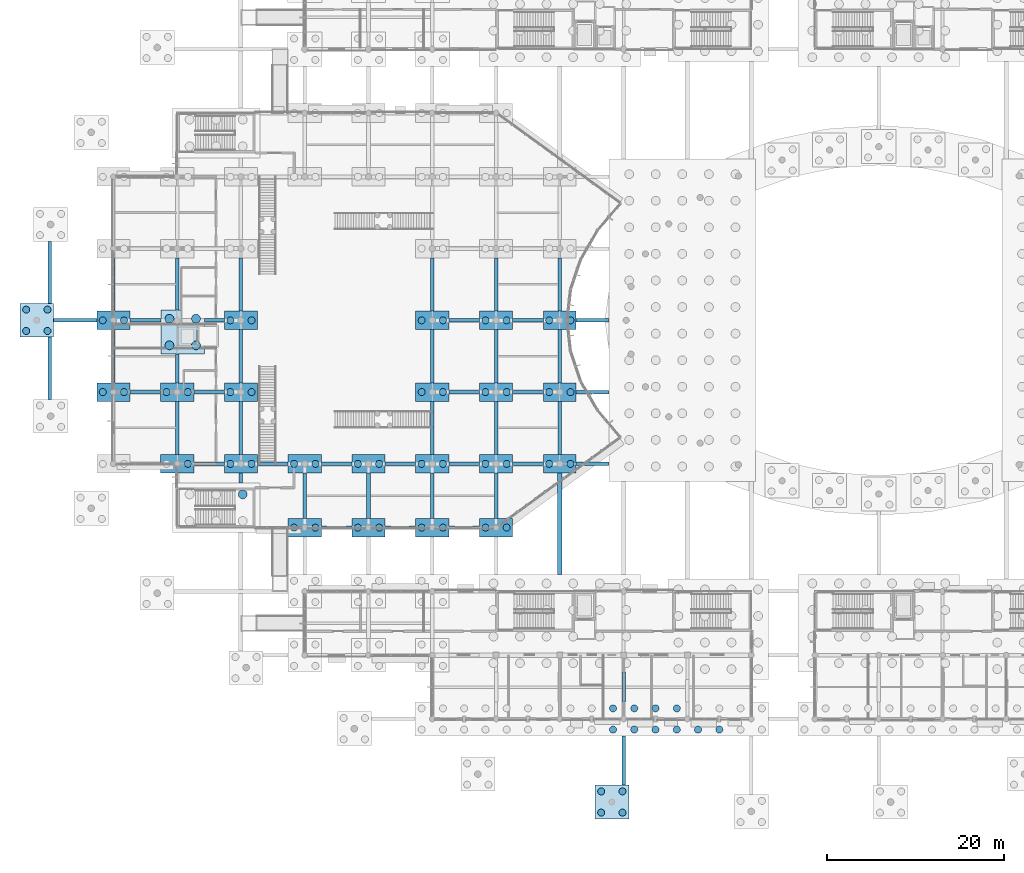
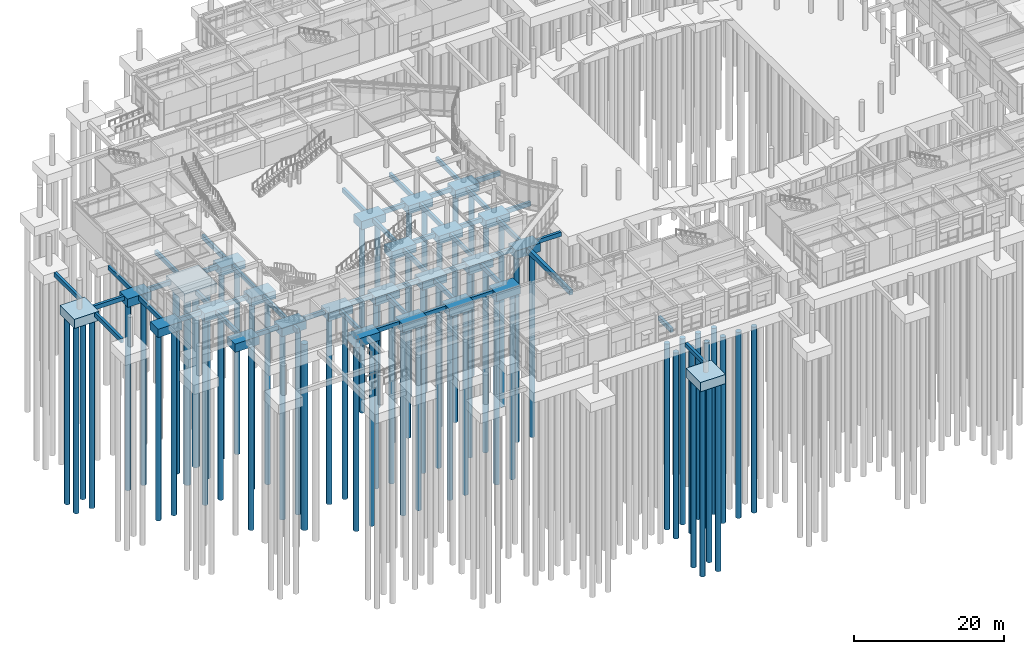
# One storey, part 2 of 103: 73 footings, 66 piles.
"""IFC4 building model written with IfcOpenShell, lengths in metres."""

from ifc_helpers import new_model, si_unit, direction, frame, origin, origin_2d, place, context, subcontext, project, spatial, rectangle, circle, extrude, material, layer, layer_set, material_profile, profile_set, type_object, element, save


model = new_model("IFC4")

# Units and contexts
model_context = context("Model", 3, precision=1e-05, world=origin(), true_north=direction((0.0, 1.0)))
body_context = subcontext(model_context, "Body", "Model", "MODEL_VIEW")
ifc_project = project(units=[si_unit("LENGTHUNIT", "METRE"), si_unit("AREAUNIT", "SQUARE_METRE"), si_unit("VOLUMEUNIT", "CUBIC_METRE"), si_unit("PLANEANGLEUNIT", "RADIAN"), si_unit("MASSUNIT", "GRAM", prefix="KILO")], contexts=[model_context])

# Site, building, storey
site_placement = place(None, origin())
site = spatial("IfcSite", under=ifc_project, at=site_placement, CompositionType="ELEMENT")
building_placement = place(site_placement, origin())
building = spatial("IfcBuilding", under=site, at=building_placement, Name="Namkhue Oval Health Centre", CompositionType="ELEMENT")
storey_placement = place(building_placement, origin())
storey = spatial("IfcBuildingStorey", under=building, at=storey_placement, Name="L00", CompositionType="ELEMENT", Elevation=0.0)

# Footings
ifc_material_1 = material(Name="Reinforced concrete C30/37 (TCVN B35)", Category="concrete")
ifc_layer_1 = layer(ifc_material_1, 1.35009765625)
ifc_layer_set_1 = layer_set([ifc_layer_1], Name="Reinforced concrete C30/37 (TCVN B35)")
footing_type_1 = type_object("IfcFootingType", Name="BORED PILE CAP 3700X2100X1350", PredefinedType="PILE_CAP", material=ifc_layer_set_1)
for number, where, z_axis, x_axis, name in (
    (1, (64.800048828125, 43.199951171875, -1.6201171875), (0.0, 0.0, 1.0), (1.0, 0.0, 0.0), "Reinforced Concrete Pile Cap 52"),
    (2, (14.39990234375, 51.300048828125, -1.6201171875), (0.0, 0.0, 1.0), (1.0, 0.0, 0.0), "Reinforced Concrete Pile Cap 57"),
    (3, (64.800048828125, 51.300048828125, -1.6201171875), (0.0, 0.0, 1.0), (1.0, 0.0, 0.0), "Reinforced Concrete Pile Cap 62"),
    (4, (14.39990234375, 59.39990234375, -1.6201171875), (0.0, 0.0, 1.0), (1.0, 0.0, 0.0), "Reinforced Concrete Pile Cap 68"),
    (5, (64.800048828125, 59.39990234375, -1.6201171875), (0.0, 0.0, 1.0), (1.0, 0.0, 0.0), "Reinforced Concrete Pile Cap 72"),
):
    element("IfcFooting", number, at=place(storey_placement, frame(where, z_axis=z_axis, x_axis=x_axis)), inside=storey, type_object=footing_type_1, Name=name, PredefinedType="PILE_CAP", context=body_context, shape_type="SweptSolid", body=[
        extrude(rectangle(XDim=3.699951171875, YDim=2.10009765625, at=origin_2d()), origin(), (0.0, 0.0, 1.0), 1.35009765625),
    ])
ifc_layer_2 = layer(ifc_material_1, 1.35009765625)
ifc_layer_set_2 = layer_set([ifc_layer_2], Name="Reinforced concrete C30/37 (TCVN B35)")
footing_type_2 = type_object("IfcFootingType", Name="BORED PILE CAP 3750X2100X1350", PredefinedType="PILE_CAP", material=ifc_layer_set_2)
for number, where, z_axis, x_axis, name in (
    (6, (36.0, 36.0, -1.6201171875), (0.0, 0.0, 1.0), (1.0, 0.0, 0.0), "Reinforced Concrete Pile Cap 28"),
    (7, (43.199951171875, 36.0, -1.6201171875), (0.0, 0.0, 1.0), (1.0, 0.0, 0.0), "Reinforced Concrete Pile Cap 29"),
    (8, (50.39990234375, 36.0, -1.6201171875), (0.0, 0.0, 1.0), (1.0, 0.0, 0.0), "Reinforced Concrete Pile Cap 30"),
    (9, (57.60009765625, 36.0, -1.6201171875), (0.0, 0.0, 1.0), (1.0, 0.0, 0.0), "Reinforced Concrete Pile Cap 31"),
    (10, (21.60009765625, 43.199951171875, -1.6201171875), (0.0, 0.0, 1.0), (1.0, 0.0, 0.0), "Reinforced Concrete Pile Cap 46"),
    (11, (28.800048828125, 43.199951171875, -1.6201171875), (0.0, 0.0, 1.0), (1.0, 0.0, 0.0), "Reinforced Concrete Pile Cap 47"),
    (12, (36.0, 43.199951171875, -1.6201171875), (0.0, 0.0, 1.0), (1.0, 0.0, 0.0), "Reinforced Concrete Pile Cap 48"),
    (13, (43.199951171875, 43.199951171875, -1.6201171875), (0.0, 0.0, 1.0), (1.0, 0.0, 0.0), "Reinforced Concrete Pile Cap 49"),
    (14, (50.39990234375, 43.199951171875, -1.6201171875), (0.0, 0.0, 1.0), (1.0, 0.0, 0.0), "Reinforced Concrete Pile Cap 50"),
    (15, (57.60009765625, 43.199951171875, -1.6201171875), (0.0, 0.0, 1.0), (1.0, 0.0, 0.0), "Reinforced Concrete Pile Cap 51"),
    (16, (21.60009765625, 51.300048828125, -1.6201171875), (0.0, 0.0, 1.0), (1.0, 0.0, 0.0), "Reinforced Concrete Pile Cap 58"),
    (17, (28.800048828125, 51.300048828125, -1.6201171875), (0.0, 0.0, 1.0), (1.0, 0.0, 0.0), "Reinforced Concrete Pile Cap 59"),
    (18, (50.39990234375, 51.300048828125, -1.6201171875), (0.0, 0.0, 1.0), (1.0, 0.0, 0.0), "Reinforced Concrete Pile Cap 60"),
    (19, (57.60009765625, 51.300048828125, -1.6201171875), (0.0, 0.0, 1.0), (1.0, 0.0, 0.0), "Reinforced Concrete Pile Cap 61"),
    (20, (28.800048828125, 59.39990234375, -1.6201171875), (0.0, 0.0, 1.0), (1.0, 0.0, 0.0), "Reinforced Concrete Pile Cap 69"),
    (21, (50.39990234375, 59.39990234375, -1.6201171875), (0.0, 0.0, 1.0), (1.0, 0.0, 0.0), "Reinforced Concrete Pile Cap 70"),
    (22, (57.60009765625, 59.39990234375, -1.6201171875), (0.0, 0.0, 1.0), (1.0, 0.0, 0.0), "Reinforced Concrete Pile Cap 71"),
):
    element("IfcFooting", number, at=place(storey_placement, frame(where, z_axis=z_axis, x_axis=x_axis)), inside=storey, type_object=footing_type_2, Name=name, PredefinedType="PILE_CAP", context=body_context, shape_type="SweptSolid", body=[
        extrude(rectangle(XDim=3.75, YDim=2.10009765625, at=origin_2d()), origin(), (0.0, 0.0, 1.0), 1.35009765625),
    ])
ifc_layer_3 = layer(ifc_material_1, 1.5)
ifc_layer_set_3 = layer_set([ifc_layer_3], Name="Reinforced concrete C30/37 (TCVN B35)")
footing_type_3 = type_object("IfcFootingType", Name="BORED PILE CAP 3800X3800X1500", PredefinedType="PILE_CAP", material=ifc_layer_set_3)
footing_1_placement = place(storey_placement, frame((5.760009765625, 59.39990234375, -1.5), z_axis=(0.0, 0.0, 1.0), x_axis=(1.0, 0.0, 0.0)))
element("IfcFooting", 23, at=footing_1_placement, inside=storey, type_object=footing_type_3, Name="Reinforced Concrete Pile Cap 65", PredefinedType="PILE_CAP", context=body_context, shape_type="SweptSolid", body=[
    extrude(rectangle(XDim=3.800048828125, YDim=3.800048828125, at=origin_2d()), origin(), (0.0, 0.0, 1.0), 1.5),
])
ifc_layer_4 = layer(ifc_material_1, 1.5)
ifc_layer_set_4 = layer_set([ifc_layer_4], Name="Reinforced concrete C30/37 (TCVN B35)")
footing_type_4 = type_object("IfcFootingType", Name="BORED PILE CAP 3850X3850X1500", PredefinedType="PILE_CAP", material=ifc_layer_set_4)
footing_2_placement = place(storey_placement, frame((70.66796875, 5.025390625, -1.5), z_axis=(0.0, 0.0, 1.0), x_axis=(1.0, 0.0, 0.0)))
element("IfcFooting", 24, at=footing_2_placement, inside=storey, type_object=footing_type_4, Name="Reinforced Concrete Pile Cap 2", PredefinedType="PILE_CAP", context=body_context, shape_type="SweptSolid", body=[
    extrude(rectangle(XDim=3.85009765625, YDim=3.85009765625, at=origin_2d()), origin(), (0.0, 0.0, 1.0), 1.5),
])
ifc_layer_5 = layer(ifc_material_1, 1.5)
ifc_layer_set_5 = layer_set([ifc_layer_5], Name="Reinforced concrete C30/37 (TCVN B35)")
footing_type_5 = type_object("IfcFootingType", Name="BORED PILE CAP 4950X4950X1500", PredefinedType="PILE_CAP", material=ifc_layer_set_5)
footing_3_placement = place(storey_placement, frame((22.22509765625, 58.074951171875, -1.77001953125), z_axis=(0.0, 0.0, 1.0), x_axis=(1.0, 0.0, 0.0)))
element("IfcFooting", 25, at=footing_3_placement, inside=storey, type_object=footing_type_5, Name="Reinforced Concrete Pile Cap 64", PredefinedType="PILE_CAP", context=body_context, shape_type="SweptSolid", body=[
    extrude(rectangle(XDim=4.949951171875, YDim=4.949951171875, at=origin_2d()), origin(), (0.0, 0.0, 1.0), 1.5),
])
footing_type_6 = type_object("IfcFootingType", Name="FOUNDATION GROUND BEAM 400X700", PredefinedType="FOOTING_BEAM", material=ifc_material_1)
for number, where, z_axis, x_axis, name in (
    (26, (39.60009765625, 36.0, -0.97021484375), (0.0, 0.0, 1.0), (1.0, 0.0, 0.0), "Foundation Ground Tie Beam X-25"),
    (27, (46.800048828125, 36.0, -0.97021484375), (0.0, 0.0, 1.0), (1.0, 0.0, 0.0), "Foundation Ground Tie Beam X-26"),
    (28, (54.0, 36.0, -0.97021484375), (0.0, 0.0, 1.0), (1.0, 0.0, 0.0), "Foundation Ground Tie Beam X-27"),
    (29, (25.199951171875, 43.199951171875, -0.97021484375), (0.0, 0.0, 1.0), (1.0, 0.0, 0.0), "Foundation Ground Tie Beam X-31"),
    (30, (32.39990234375, 43.199951171875, -0.97021484375), (0.0, 0.0, 1.0), (1.0, 0.0, 0.0), "Foundation Ground Tie Beam X-32"),
    (31, (39.60009765625, 43.199951171875, -0.97021484375), (0.0, 0.0, 1.0), (1.0, 0.0, 0.0), "Foundation Ground Tie Beam X-33"),
    (32, (46.800048828125, 43.199951171875, -0.97021484375), (0.0, 0.0, 1.0), (1.0, 0.0, 0.0), "Foundation Ground Tie Beam X-34"),
    (33, (54.0, 43.199951171875, -0.97021484375), (0.0, 0.0, 1.0), (1.0, 0.0, 0.0), "Foundation Ground Tie Beam X-35"),
):
    element("IfcFooting", number, at=place(storey_placement, frame(where, z_axis=z_axis, x_axis=x_axis)), inside=storey, type_object=footing_type_6, Name=name, PredefinedType="FOOTING_BEAM", context=body_context, shape_type="SweptSolid", body=[
        extrude(rectangle(XDim=3.449951171875, YDim=0.39990234375, at=origin_2d()), origin(), (0.0, 0.0, 1.0), 0.699951171875),
    ])
footing_4_placement = place(storey_placement, frame((61.21240234375, 43.199951171875, -0.97021484375), z_axis=(0.0, 0.0, 1.0), x_axis=(1.0, 0.0, 0.0)))
element("IfcFooting", 34, at=footing_4_placement, inside=storey, type_object=footing_type_6, Name="Foundation Ground Tie Beam X-36", PredefinedType="FOOTING_BEAM", context=body_context, shape_type="SweptSolid", body=[
    extrude(rectangle(XDim=3.47509765625, YDim=0.39990234375, at=origin_2d()), origin(), (0.0, 0.0, 1.0), 0.699951171875),
])
footing_5_placement = place(storey_placement, frame((68.511962890625, 43.199951171875, -0.97021484375), z_axis=(0.0, 0.0, 1.0), x_axis=(1.0, 0.0, 0.0)))
element("IfcFooting", 35, at=footing_5_placement, inside=storey, type_object=footing_type_6, Name="Foundation Ground Tie Beam X-37", PredefinedType="FOOTING_BEAM", context=body_context, shape_type="SweptSolid", body=[
    extrude(rectangle(XDim=3.723876953125, YDim=0.39990234375, at=origin_2d()), origin(), (0.0, 0.0, 1.0), 0.699951171875),
])
footing_6_placement = place(storey_placement, frame((17.987548828125, 51.300048828125, -0.97021484375), z_axis=(0.0, 0.0, 1.0), x_axis=(1.0, 0.0, 0.0)))
element("IfcFooting", 36, at=footing_6_placement, inside=storey, type_object=footing_type_6, Name="Foundation Ground Tie Beam X-40", PredefinedType="FOOTING_BEAM", context=body_context, shape_type="SweptSolid", body=[
    extrude(rectangle(XDim=3.47509765625, YDim=0.39990234375, at=origin_2d()), origin(), (0.0, 0.0, 1.0), 0.699951171875),
])
for number, where, z_axis, x_axis, name in (
    (37, (25.199951171875, 51.300048828125, -0.97021484375), (0.0, 0.0, 1.0), (1.0, 0.0, 0.0), "Foundation Ground Tie Beam X-41"),
    (38, (54.0, 51.300048828125, -0.97021484375), (0.0, 0.0, 1.0), (1.0, 0.0, 0.0), "Foundation Ground Tie Beam X-42"),
):
    element("IfcFooting", number, at=place(storey_placement, frame(where, z_axis=z_axis, x_axis=x_axis)), inside=storey, type_object=footing_type_6, Name=name, PredefinedType="FOOTING_BEAM", context=body_context, shape_type="SweptSolid", body=[
        extrude(rectangle(XDim=3.449951171875, YDim=0.39990234375, at=origin_2d()), origin(), (0.0, 0.0, 1.0), 0.699951171875),
    ])
footing_7_placement = place(storey_placement, frame((61.21240234375, 51.300048828125, -0.97021484375), z_axis=(0.0, 0.0, 1.0), x_axis=(1.0, 0.0, 0.0)))
element("IfcFooting", 39, at=footing_7_placement, inside=storey, type_object=footing_type_6, Name="Foundation Ground Tie Beam X-43", PredefinedType="FOOTING_BEAM", context=body_context, shape_type="SweptSolid", body=[
    extrude(rectangle(XDim=3.47509765625, YDim=0.39990234375, at=origin_2d()), origin(), (0.0, 0.0, 1.0), 0.699951171875),
])
footing_8_placement = place(storey_placement, frame((68.511962890625, 51.300048828125, -0.97021484375), z_axis=(0.0, 0.0, 1.0), x_axis=(1.0, 0.0, 0.0)))
element("IfcFooting", 40, at=footing_8_placement, inside=storey, type_object=footing_type_6, Name="Foundation Ground Tie Beam X-44", PredefinedType="FOOTING_BEAM", context=body_context, shape_type="SweptSolid", body=[
    extrude(rectangle(XDim=3.723876953125, YDim=0.39990234375, at=origin_2d()), origin(), (0.0, 0.0, 1.0), 0.699951171875),
])
footing_9_placement = place(storey_placement, frame((10.10498046875, 59.39990234375, -0.97021484375), z_axis=(0.0, 0.0, 1.0), x_axis=(1.0, 0.0, 0.0)))
element("IfcFooting", 41, at=footing_9_placement, inside=storey, type_object=footing_type_6, Name="Foundation Ground Tie Beam X-47", PredefinedType="FOOTING_BEAM", context=body_context, shape_type="SweptSolid", body=[
    extrude(rectangle(XDim=4.889892578125, YDim=0.39990234375, at=origin_2d()), origin(), (0.0, 0.0, 1.0), 0.699951171875),
])
footing_10_placement = place(storey_placement, frame((18.0, 59.39990234375, -0.97021484375), z_axis=(0.0, 0.0, 1.0), x_axis=(1.0, 0.0, 0.0)))
element("IfcFooting", 42, at=footing_10_placement, inside=storey, type_object=footing_type_6, Name="Foundation Ground Tie Beam X-48", PredefinedType="FOOTING_BEAM", context=body_context, shape_type="SweptSolid", body=[
    extrude(rectangle(XDim=3.5, YDim=0.39990234375, at=origin_2d()), origin(), (0.0, 0.0, 1.0), 0.699951171875),
])
footing_11_placement = place(storey_placement, frame((25.8125, 59.39990234375, -0.97021484375), z_axis=(0.0, 0.0, 1.0), x_axis=(1.0, 0.0, 0.0)))
element("IfcFooting", 43, at=footing_11_placement, inside=storey, type_object=footing_type_6, Name="Foundation Ground Tie Beam X-49", PredefinedType="FOOTING_BEAM", context=body_context, shape_type="SweptSolid", body=[
    extrude(rectangle(XDim=2.22509765625, YDim=0.39990234375, at=origin_2d()), origin(), (0.0, 0.0, 1.0), 0.699951171875),
])
footing_12_placement = place(storey_placement, frame((54.0, 59.39990234375, -0.97021484375), z_axis=(0.0, 0.0, 1.0), x_axis=(1.0, 0.0, 0.0)))
element("IfcFooting", 44, at=footing_12_placement, inside=storey, type_object=footing_type_6, Name="Foundation Ground Tie Beam X-50", PredefinedType="FOOTING_BEAM", context=body_context, shape_type="SweptSolid", body=[
    extrude(rectangle(XDim=3.449951171875, YDim=0.39990234375, at=origin_2d()), origin(), (0.0, 0.0, 1.0), 0.699951171875),
])
footing_13_placement = place(storey_placement, frame((61.21240234375, 59.39990234375, -0.97021484375), z_axis=(0.0, 0.0, 1.0), x_axis=(1.0, 0.0, 0.0)))
element("IfcFooting", 45, at=footing_13_placement, inside=storey, type_object=footing_type_6, Name="Foundation Ground Tie Beam X-51", PredefinedType="FOOTING_BEAM", context=body_context, shape_type="SweptSolid", body=[
    extrude(rectangle(XDim=3.47509765625, YDim=0.39990234375, at=origin_2d()), origin(), (0.0, 0.0, 1.0), 0.699951171875),
])
footing_14_placement = place(storey_placement, frame((68.511962890625, 59.39990234375, -0.97021484375), z_axis=(0.0, 0.0, 1.0), x_axis=(1.0, 0.0, 0.0)))
element("IfcFooting", 46, at=footing_14_placement, inside=storey, type_object=footing_type_6, Name="Foundation Ground Tie Beam X-52", PredefinedType="FOOTING_BEAM", context=body_context, shape_type="SweptSolid", body=[
    extrude(rectangle(XDim=3.723876953125, YDim=0.39990234375, at=origin_2d()), origin(), (0.0, 0.0, 1.0), 0.699951171875),
])
footing_15_placement = place(storey_placement, frame((7.199951171875, 53.9921875, -0.7001953125), z_axis=(0.0, 0.0, 1.0), x_axis=(0.0, 1.0, 0.0)))
element("IfcFooting", 47, at=footing_15_placement, inside=storey, type_object=footing_type_6, Name="Foundation Ground Tie Beam Y-101", PredefinedType="FOOTING_BEAM", context=body_context, shape_type="SweptSolid", body=[
    extrude(rectangle(XDim=7.015869140625, YDim=0.39990234375, at=origin_2d()), origin(), (0.0, 0.0, 1.0), 0.699951171875),
])
footing_16_placement = place(storey_placement, frame((7.199951171875, 64.79541015625, -0.7001953125), z_axis=(0.0, 0.0, 1.0), x_axis=(0.0, 1.0, 0.0)))
element("IfcFooting", 48, at=footing_16_placement, inside=storey, type_object=footing_type_6, Name="Foundation Ground Tie Beam Y-102", PredefinedType="FOOTING_BEAM", context=body_context, shape_type="SweptSolid", body=[
    extrude(rectangle(XDim=6.99072265625, YDim=0.39990234375, at=origin_2d()), origin(), (0.0, 0.0, 1.0), 0.699951171875),
])
for number, where, z_axis, x_axis, name in (
    (49, (14.39990234375, 55.35009765625, -0.97021484375), (0.0, 0.0, 1.0), (0.0, 1.0, 0.0), "Foundation Ground Tie Beam Y-104"),
    (50, (14.39990234375, 63.449951171875, -0.97021484375), (0.0, 0.0, 1.0), (0.0, 1.0, 0.0), "Foundation Ground Tie Beam Y-105"),
    (51, (21.60009765625, 47.25, -0.97021484375), (0.0, 0.0, 1.0), (0.0, 1.0, 0.0), "Foundation Ground Tie Beam Y-108"),
):
    element("IfcFooting", number, at=place(storey_placement, frame(where, z_axis=z_axis, x_axis=x_axis)), inside=storey, type_object=footing_type_6, Name=name, PredefinedType="FOOTING_BEAM", context=body_context, shape_type="SweptSolid", body=[
        extrude(rectangle(XDim=6.0, YDim=0.39990234375, at=origin_2d()), origin(), (0.0, 0.0, 1.0), 0.699951171875),
    ])
footing_17_placement = place(storey_placement, frame((21.60009765625, 53.97509765625, -0.97021484375), z_axis=(0.0, 0.0, 1.0), x_axis=(0.0, 1.0, 0.0)))
element("IfcFooting", 52, at=footing_17_placement, inside=storey, type_object=footing_type_6, Name="Foundation Ground Tie Beam Y-109", PredefinedType="FOOTING_BEAM", context=body_context, shape_type="SweptSolid", body=[
    extrude(rectangle(XDim=3.25, YDim=0.39990234375, at=origin_2d()), origin(), (0.0, 0.0, 1.0), 0.699951171875),
])
footing_18_placement = place(storey_placement, frame((21.60009765625, 63.5, -0.97021484375), z_axis=(0.0, 0.0, 1.0), x_axis=(0.0, 1.0, 0.0)))
element("IfcFooting", 53, at=footing_18_placement, inside=storey, type_object=footing_type_6, Name="Foundation Ground Tie Beam Y-110", PredefinedType="FOOTING_BEAM", context=body_context, shape_type="SweptSolid", body=[
    extrude(rectangle(XDim=5.89990234375, YDim=0.39990234375, at=origin_2d()), origin(), (0.0, 0.0, 1.0), 0.699951171875),
])
footing_19_placement = place(storey_placement, frame((28.800048828125, 41.60009765625, -0.97021484375), z_axis=(0.0, 0.0, 1.0), x_axis=(0.0, 1.0, 0.0)))
element("IfcFooting", 54, at=footing_19_placement, inside=storey, type_object=footing_type_6, Name="Foundation Ground Tie Beam Y-114", PredefinedType="FOOTING_BEAM", context=body_context, shape_type="SweptSolid", body=[
    extrude(rectangle(XDim=1.10009765625, YDim=0.39990234375, at=origin_2d()), origin(), (0.0, 0.0, 1.0), 0.699951171875),
])
for number, where, z_axis, x_axis, name in (
    (55, (28.800048828125, 47.25, -0.97021484375), (0.0, 0.0, 1.0), (0.0, 1.0, 0.0), "Foundation Ground Tie Beam Y-115"),
    (56, (28.800048828125, 55.35009765625, -0.97021484375), (0.0, 0.0, 1.0), (0.0, 1.0, 0.0), "Foundation Ground Tie Beam Y-116"),
    (57, (28.800048828125, 63.449951171875, -0.97021484375), (0.0, 0.0, 1.0), (0.0, 1.0, 0.0), "Foundation Ground Tie Beam Y-117"),
):
    element("IfcFooting", number, at=place(storey_placement, frame(where, z_axis=z_axis, x_axis=x_axis)), inside=storey, type_object=footing_type_6, Name=name, PredefinedType="FOOTING_BEAM", context=body_context, shape_type="SweptSolid", body=[
        extrude(rectangle(XDim=6.0, YDim=0.39990234375, at=origin_2d()), origin(), (0.0, 0.0, 1.0), 0.699951171875),
    ])
for number, where, z_axis, x_axis, name in (
    (58, (36.0, 39.60009765625, -0.97021484375), (0.0, 0.0, 1.0), (0.0, 1.0, 0.0), "Foundation Ground Tie Beam Y-123"),
    (59, (43.199951171875, 39.60009765625, -0.97021484375), (0.0, 0.0, 1.0), (0.0, 1.0, 0.0), "Foundation Ground Tie Beam Y-129"),
    (60, (50.39990234375, 39.60009765625, -0.97021484375), (0.0, 0.0, 1.0), (0.0, 1.0, 0.0), "Foundation Ground Tie Beam Y-136"),
):
    element("IfcFooting", number, at=place(storey_placement, frame(where, z_axis=z_axis, x_axis=x_axis)), inside=storey, type_object=footing_type_6, Name=name, PredefinedType="FOOTING_BEAM", context=body_context, shape_type="SweptSolid", body=[
        extrude(rectangle(XDim=5.10009765625, YDim=0.39990234375, at=origin_2d()), origin(), (0.0, 0.0, 1.0), 0.699951171875),
    ])
for number, where, z_axis, x_axis, name in (
    (61, (50.39990234375, 47.25, -0.97021484375), (0.0, 0.0, 1.0), (0.0, 1.0, 0.0), "Foundation Ground Tie Beam Y-137"),
    (62, (50.39990234375, 55.35009765625, -0.97021484375), (0.0, 0.0, 1.0), (0.0, 1.0, 0.0), "Foundation Ground Tie Beam Y-138"),
    (63, (50.39990234375, 63.449951171875, -0.97021484375), (0.0, 0.0, 1.0), (0.0, 1.0, 0.0), "Foundation Ground Tie Beam Y-139"),
):
    element("IfcFooting", number, at=place(storey_placement, frame(where, z_axis=z_axis, x_axis=x_axis)), inside=storey, type_object=footing_type_6, Name=name, PredefinedType="FOOTING_BEAM", context=body_context, shape_type="SweptSolid", body=[
        extrude(rectangle(XDim=6.0, YDim=0.39990234375, at=origin_2d()), origin(), (0.0, 0.0, 1.0), 0.699951171875),
    ])
footing_20_placement = place(storey_placement, frame((57.60009765625, 39.60009765625, -0.97021484375), z_axis=(0.0, 0.0, 1.0), x_axis=(0.0, 1.0, 0.0)))
element("IfcFooting", 64, at=footing_20_placement, inside=storey, type_object=footing_type_6, Name="Foundation Ground Tie Beam Y-147", PredefinedType="FOOTING_BEAM", context=body_context, shape_type="SweptSolid", body=[
    extrude(rectangle(XDim=5.10009765625, YDim=0.39990234375, at=origin_2d()), origin(), (0.0, 0.0, 1.0), 0.699951171875),
])
for number, where, z_axis, x_axis, name in (
    (65, (57.60009765625, 47.25, -0.97021484375), (0.0, 0.0, 1.0), (0.0, 1.0, 0.0), "Foundation Ground Tie Beam Y-148"),
    (66, (57.60009765625, 55.35009765625, -0.97021484375), (0.0, 0.0, 1.0), (0.0, 1.0, 0.0), "Foundation Ground Tie Beam Y-149"),
    (67, (57.60009765625, 63.449951171875, -0.97021484375), (0.0, 0.0, 1.0), (0.0, 1.0, 0.0), "Foundation Ground Tie Beam Y-150"),
    (68, (64.800048828125, 47.25, -0.97021484375), (0.0, 0.0, 1.0), (0.0, 1.0, 0.0), "Foundation Ground Tie Beam Y-157"),
    (69, (64.800048828125, 55.35009765625, -0.97021484375), (0.0, 0.0, 1.0), (0.0, 1.0, 0.0), "Foundation Ground Tie Beam Y-158"),
    (70, (64.800048828125, 63.449951171875, -0.97021484375), (0.0, 0.0, 1.0), (0.0, 1.0, 0.0), "Foundation Ground Tie Beam Y-159"),
):
    element("IfcFooting", number, at=place(storey_placement, frame(where, z_axis=z_axis, x_axis=x_axis)), inside=storey, type_object=footing_type_6, Name=name, PredefinedType="FOOTING_BEAM", context=body_context, shape_type="SweptSolid", body=[
        extrude(rectangle(XDim=6.0, YDim=0.39990234375, at=origin_2d()), origin(), (0.0, 0.0, 1.0), 0.699951171875),
    ])
footing_21_placement = place(storey_placement, frame((72.0, 9.712646484375, -0.98486328125), z_axis=(0.0, 0.0, 1.0), x_axis=(0.0, 1.0, 0.0)))
element("IfcFooting", 71, at=footing_21_placement, inside=storey, type_object=footing_type_6, Name="Foundation Ground Tie Beam Y-163", PredefinedType="FOOTING_BEAM", context=body_context, shape_type="SweptSolid", body=[
    extrude(rectangle(XDim=5.524658203125, YDim=0.39990234375, at=origin_2d()), origin(), (0.0, 0.0, 1.0), 0.699951171875),
])
footing_22_placement = place(storey_placement, frame((72.0, 18.012451171875, -0.98486328125), z_axis=(0.0, 0.0, 1.0), x_axis=(0.0, 1.0, 0.0)))
element("IfcFooting", 72, at=footing_22_placement, inside=storey, type_object=footing_type_6, Name="Foundation Ground Tie Beam Y-164", PredefinedType="FOOTING_BEAM", context=body_context, shape_type="SweptSolid", body=[
    extrude(rectangle(XDim=3.375, YDim=0.39990234375, at=origin_2d()), origin(), (0.0, 0.0, 1.0), 0.699951171875),
])
footing_type_7 = type_object("IfcFootingType", Name="FOUNDATION GROUND BEAM 500X800", PredefinedType="FOOTING_BEAM", material=ifc_material_1)
footing_23_placement = place(storey_placement, frame((64.800048828125, 36.425048828125, -1.0849609375), z_axis=(0.0, 0.0, 1.0), x_axis=(0.0, 1.0, 0.0)))
element("IfcFooting", 73, at=footing_23_placement, inside=storey, type_object=footing_type_7, Name="Foundation Ground Tie Beam Y-156", PredefinedType="FOOTING_BEAM", context=body_context, shape_type="SweptSolid", body=[
    extrude(rectangle(XDim=11.449951171875, YDim=0.5, at=origin_2d()), origin(), (0.0, 0.0, 1.0), 0.800048828125),
])

# Piles
ifc_material_2 = material(Name="Reinforced concrete C25/30 (TCVN B30)", Category="concrete")
ifc_material_profile_1 = material_profile(ifc_material_2, circle(Radius=0.5, at=origin_2d()), Name="BORED PILE D1000")
ifc_profile_set_1 = profile_set([ifc_material_profile_1], Name="Reinforced concrete C25/30 (TCVN B30)")
pile_type_1 = type_object("IfcPileType", Name="RC BORED PILE D1000", PredefinedType="BORED", material=ifc_profile_set_1)
pile_placement = place(storey_placement, frame((29.0, 39.75, -1.75), z_axis=(0.0, 0.0, -1.0), x_axis=(1.0, 0.0, 0.0)))
element("IfcPile", 74, at=pile_placement, inside=storey, type_object=pile_type_1, Name="Bored Pile 35-3.2", PredefinedType="BORED", context=body_context, shape_type="SweptSolid", body=[
    extrude(circle(Radius=0.5, at=origin_2d()), origin(), (0.0, 0.0, 1.0), 30.25),
])
for number, where, z_axis, x_axis, name in (
    (75, (20.72509765625, 56.574951171875, -1.64990234375), (0.0, 0.0, -1.0), (1.0, 0.0, 0.0), "Bored Pile 64-1.1"),
    (76, (20.72509765625, 59.574951171875, -1.64990234375), (0.0, 0.0, -1.0), (1.0, 0.0, 0.0), "Bored Pile 64-1.2"),
    (77, (23.72509765625, 56.574951171875, -1.64990234375), (0.0, 0.0, -1.0), (1.0, 0.0, 0.0), "Bored Pile 64-2.1"),
    (78, (23.72509765625, 59.574951171875, -1.64990234375), (0.0, 0.0, -1.0), (1.0, 0.0, 0.0), "Bored Pile 64-2.2"),
):
    element("IfcPile", number, at=place(storey_placement, frame(where, z_axis=z_axis, x_axis=x_axis)), inside=storey, type_object=pile_type_1, Name=name, PredefinedType="BORED", context=body_context, shape_type="SweptSolid", body=[
        extrude(circle(Radius=0.5, at=origin_2d()), origin(), (0.0, 0.0, 1.0), 30.35009765625),
    ])
ifc_material_profile_2 = material_profile(ifc_material_2, circle(Radius=0.39990234375, at=origin_2d()), Name="BORED PILE D800")
ifc_profile_set_2 = profile_set([ifc_material_profile_2], Name="Reinforced concrete C25/30 (TCVN B30)")
pile_type_2 = type_object("IfcPileType", Name="RC BORED PILE D800", PredefinedType="BORED", material=ifc_profile_set_2)
for number, where, z_axis, x_axis, name in (
    (79, (69.468017578125, 3.8251953125, -1.3798828125), (0.0, 0.0, -1.0), (1.0, 0.0, 0.0), "Bored Pile 2-1.1"),
    (80, (69.468017578125, 6.225341796875, -1.3798828125), (0.0, 0.0, -1.0), (1.0, 0.0, 0.0), "Bored Pile 2-1.2"),
    (81, (71.867919921875, 3.8251953125, -1.3798828125), (0.0, 0.0, -1.0), (1.0, 0.0, 0.0), "Bored Pile 2-2.1"),
    (82, (71.867919921875, 6.225341796875, -1.3798828125), (0.0, 0.0, -1.0), (1.0, 0.0, 0.0), "Bored Pile 2-2.2"),
):
    element("IfcPile", number, at=place(storey_placement, frame(where, z_axis=z_axis, x_axis=x_axis)), inside=storey, type_object=pile_type_2, Name=name, PredefinedType="BORED", context=body_context, shape_type="SweptSolid", body=[
        extrude(circle(Radius=0.39990234375, at=origin_2d()), origin(), (0.0, 0.0, 1.0), 30.6201171875),
    ])
for number, where, z_axis, x_axis, name in (
    (83, (70.800048828125, 13.199951171875, -1.764892578125), (0.0, 0.0, -1.0), (1.0, 0.0, 0.0), "Bored Pile 8-10.1"),
    (84, (70.800048828125, 15.60009765625, -1.764892578125), (0.0, 0.0, -1.0), (1.0, 0.0, 0.0), "Bored Pile 8-10.2"),
    (85, (73.199951171875, 13.199951171875, -1.764892578125), (0.0, 0.0, -1.0), (1.0, 0.0, 0.0), "Bored Pile 8-11.1"),
    (86, (73.199951171875, 15.60009765625, -1.764892578125), (0.0, 0.0, -1.0), (1.0, 0.0, 0.0), "Bored Pile 8-11.2"),
    (87, (75.60009765625, 13.199951171875, -1.764892578125), (0.0, 0.0, -1.0), (1.0, 0.0, 0.0), "Bored Pile 8-12.1"),
    (88, (75.60009765625, 15.60009765625, -1.764892578125), (0.0, 0.0, -1.0), (1.0, 0.0, 0.0), "Bored Pile 8-12.2"),
    (89, (78.0, 13.199951171875, -1.764892578125), (0.0, 0.0, -1.0), (1.0, 0.0, 0.0), "Bored Pile 8-13.1"),
    (90, (78.0, 15.60009765625, -1.764892578125), (0.0, 0.0, -1.0), (1.0, 0.0, 0.0), "Bored Pile 8-13.2"),
    (91, (80.39990234375, 13.199951171875, -1.764892578125), (0.0, 0.0, -1.0), (1.0, 0.0, 0.0), "Bored Pile 8-14.1"),
    (92, (82.800048828125, 13.199951171875, -1.764892578125), (0.0, 0.0, -1.0), (1.0, 0.0, 0.0), "Bored Pile 8-15.1"),
):
    element("IfcPile", number, at=place(storey_placement, frame(where, z_axis=z_axis, x_axis=x_axis)), inside=storey, type_object=pile_type_2, Name=name, PredefinedType="BORED", context=body_context, shape_type="SweptSolid", body=[
        extrude(circle(Radius=0.39990234375, at=origin_2d()), origin(), (0.0, 0.0, 1.0), 30.235107421875),
    ])
for number, where, z_axis, x_axis, name in (
    (93, (34.800048828125, 36.0, -1.5), (0.0, 0.0, -1.0), (1.0, 0.0, 0.0), "Bored Pile 28-1.1"),
    (94, (37.199951171875, 36.0, -1.5), (0.0, 0.0, -1.0), (1.0, 0.0, 0.0), "Bored Pile 28-2.1"),
    (95, (42.0, 36.0, -1.5), (0.0, 0.0, -1.0), (1.0, 0.0, 0.0), "Bored Pile 29-1.1"),
    (96, (44.39990234375, 36.0, -1.5), (0.0, 0.0, -1.0), (1.0, 0.0, 0.0), "Bored Pile 29-2.1"),
    (97, (49.199951171875, 36.0, -1.5), (0.0, 0.0, -1.0), (1.0, 0.0, 0.0), "Bored Pile 30-1.1"),
    (98, (51.60009765625, 36.0, -1.5), (0.0, 0.0, -1.0), (1.0, 0.0, 0.0), "Bored Pile 30-2.1"),
    (99, (56.39990234375, 36.0, -1.5), (0.0, 0.0, -1.0), (1.0, 0.0, 0.0), "Bored Pile 31-1.1"),
    (100, (58.800048828125, 36.0, -1.5), (0.0, 0.0, -1.0), (1.0, 0.0, 0.0), "Bored Pile 31-2.1"),
    (101, (22.800048828125, 43.199951171875, -1.5), (0.0, 0.0, -1.0), (1.0, 0.0, 0.0), "Bored Pile 46-2.1"),
    (102, (27.60009765625, 43.199951171875, -1.5), (0.0, 0.0, -1.0), (1.0, 0.0, 0.0), "Bored Pile 47-1.1"),
    (103, (30.0, 43.199951171875, -1.5), (0.0, 0.0, -1.0), (1.0, 0.0, 0.0), "Bored Pile 47-2.1"),
    (104, (34.800048828125, 43.199951171875, -1.5), (0.0, 0.0, -1.0), (1.0, 0.0, 0.0), "Bored Pile 48-1.1"),
    (105, (37.199951171875, 43.199951171875, -1.5), (0.0, 0.0, -1.0), (1.0, 0.0, 0.0), "Bored Pile 48-2.1"),
    (106, (42.0, 43.199951171875, -1.5), (0.0, 0.0, -1.0), (1.0, 0.0, 0.0), "Bored Pile 49-1.1"),
    (107, (44.39990234375, 43.199951171875, -1.5), (0.0, 0.0, -1.0), (1.0, 0.0, 0.0), "Bored Pile 49-2.1"),
    (108, (49.199951171875, 43.199951171875, -1.5), (0.0, 0.0, -1.0), (1.0, 0.0, 0.0), "Bored Pile 50-1.1"),
    (109, (51.60009765625, 43.199951171875, -1.5), (0.0, 0.0, -1.0), (1.0, 0.0, 0.0), "Bored Pile 50-2.1"),
    (110, (56.39990234375, 43.199951171875, -1.5), (0.0, 0.0, -1.0), (1.0, 0.0, 0.0), "Bored Pile 51-1.1"),
    (111, (58.800048828125, 43.199951171875, -1.5), (0.0, 0.0, -1.0), (1.0, 0.0, 0.0), "Bored Pile 51-2.1"),
    (112, (63.60009765625, 43.199951171875, -1.5), (0.0, 0.0, -1.0), (1.0, 0.0, 0.0), "Bored Pile 52-1.1"),
    (113, (66.0, 43.199951171875, -1.5), (0.0, 0.0, -1.0), (1.0, 0.0, 0.0), "Bored Pile 52-2.1"),
    (114, (13.199951171875, 51.300048828125, -1.5), (0.0, 0.0, -1.0), (1.0, 0.0, 0.0), "Bored Pile 57-1.1"),
    (115, (15.60009765625, 51.300048828125, -1.5), (0.0, 0.0, -1.0), (1.0, 0.0, 0.0), "Bored Pile 57-2.1"),
    (116, (20.39990234375, 51.300048828125, -1.5), (0.0, 0.0, -1.0), (1.0, 0.0, 0.0), "Bored Pile 58-1.1"),
    (117, (22.800048828125, 51.300048828125, -1.5), (0.0, 0.0, -1.0), (1.0, 0.0, 0.0), "Bored Pile 58-2.1"),
    (118, (27.60009765625, 51.300048828125, -1.5), (0.0, 0.0, -1.0), (1.0, 0.0, 0.0), "Bored Pile 59-1.1"),
    (119, (30.0, 51.300048828125, -1.5), (0.0, 0.0, -1.0), (1.0, 0.0, 0.0), "Bored Pile 59-2.1"),
    (120, (49.199951171875, 51.300048828125, -1.5), (0.0, 0.0, -1.0), (1.0, 0.0, 0.0), "Bored Pile 60-1.1"),
    (121, (51.60009765625, 51.300048828125, -1.5), (0.0, 0.0, -1.0), (1.0, 0.0, 0.0), "Bored Pile 60-2.1"),
    (122, (56.39990234375, 51.300048828125, -1.5), (0.0, 0.0, -1.0), (1.0, 0.0, 0.0), "Bored Pile 61-1.1"),
    (123, (58.800048828125, 51.300048828125, -1.5), (0.0, 0.0, -1.0), (1.0, 0.0, 0.0), "Bored Pile 61-2.1"),
    (124, (63.60009765625, 51.300048828125, -1.5), (0.0, 0.0, -1.0), (1.0, 0.0, 0.0), "Bored Pile 62-1.1"),
    (125, (66.0, 51.300048828125, -1.5), (0.0, 0.0, -1.0), (1.0, 0.0, 0.0), "Bored Pile 62-2.1"),
):
    element("IfcPile", number, at=place(storey_placement, frame(where, z_axis=z_axis, x_axis=x_axis)), inside=storey, type_object=pile_type_2, Name=name, PredefinedType="BORED", context=body_context, shape_type="SweptSolid", body=[
        extrude(circle(Radius=0.39990234375, at=origin_2d()), origin(), (0.0, 0.0, 1.0), 30.5),
    ])
for number, where, z_axis, x_axis, name in (
    (126, (4.56005859375, 58.199951171875, -1.3798828125), (0.0, 0.0, -1.0), (1.0, 0.0, 0.0), "Bored Pile 65-1.1"),
    (127, (4.56005859375, 60.60009765625, -1.3798828125), (0.0, 0.0, -1.0), (1.0, 0.0, 0.0), "Bored Pile 65-1.2"),
    (128, (6.9599609375, 58.199951171875, -1.3798828125), (0.0, 0.0, -1.0), (1.0, 0.0, 0.0), "Bored Pile 65-2.1"),
    (129, (6.9599609375, 60.60009765625, -1.3798828125), (0.0, 0.0, -1.0), (1.0, 0.0, 0.0), "Bored Pile 65-2.2"),
):
    element("IfcPile", number, at=place(storey_placement, frame(where, z_axis=z_axis, x_axis=x_axis)), inside=storey, type_object=pile_type_2, Name=name, PredefinedType="BORED", context=body_context, shape_type="SweptSolid", body=[
        extrude(circle(Radius=0.39990234375, at=origin_2d()), origin(), (0.0, 0.0, 1.0), 30.6201171875),
    ])
for number, where, z_axis, x_axis, name in (
    (130, (13.199951171875, 59.39990234375, -1.5), (0.0, 0.0, -1.0), (1.0, 0.0, 0.0), "Bored Pile 68-1.1"),
    (131, (15.60009765625, 59.39990234375, -1.5), (0.0, 0.0, -1.0), (1.0, 0.0, 0.0), "Bored Pile 68-2.1"),
    (132, (27.60009765625, 59.39990234375, -1.5), (0.0, 0.0, -1.0), (1.0, 0.0, 0.0), "Bored Pile 69-1.1"),
    (133, (30.0, 59.39990234375, -1.5), (0.0, 0.0, -1.0), (1.0, 0.0, 0.0), "Bored Pile 69-2.1"),
    (134, (49.199951171875, 59.39990234375, -1.5), (0.0, 0.0, -1.0), (1.0, 0.0, 0.0), "Bored Pile 70-1.1"),
    (135, (51.60009765625, 59.39990234375, -1.5), (0.0, 0.0, -1.0), (1.0, 0.0, 0.0), "Bored Pile 70-2.1"),
    (136, (56.39990234375, 59.39990234375, -1.5), (0.0, 0.0, -1.0), (1.0, 0.0, 0.0), "Bored Pile 71-1.1"),
    (137, (58.800048828125, 59.39990234375, -1.5), (0.0, 0.0, -1.0), (1.0, 0.0, 0.0), "Bored Pile 71-2.1"),
    (138, (63.60009765625, 59.39990234375, -1.5), (0.0, 0.0, -1.0), (1.0, 0.0, 0.0), "Bored Pile 72-1.1"),
    (139, (66.0, 59.39990234375, -1.5), (0.0, 0.0, -1.0), (1.0, 0.0, 0.0), "Bored Pile 72-2.1"),
):
    element("IfcPile", number, at=place(storey_placement, frame(where, z_axis=z_axis, x_axis=x_axis)), inside=storey, type_object=pile_type_2, Name=name, PredefinedType="BORED", context=body_context, shape_type="SweptSolid", body=[
        extrude(circle(Radius=0.39990234375, at=origin_2d()), origin(), (0.0, 0.0, 1.0), 30.5),
    ])

save(model, "model.ifc")
